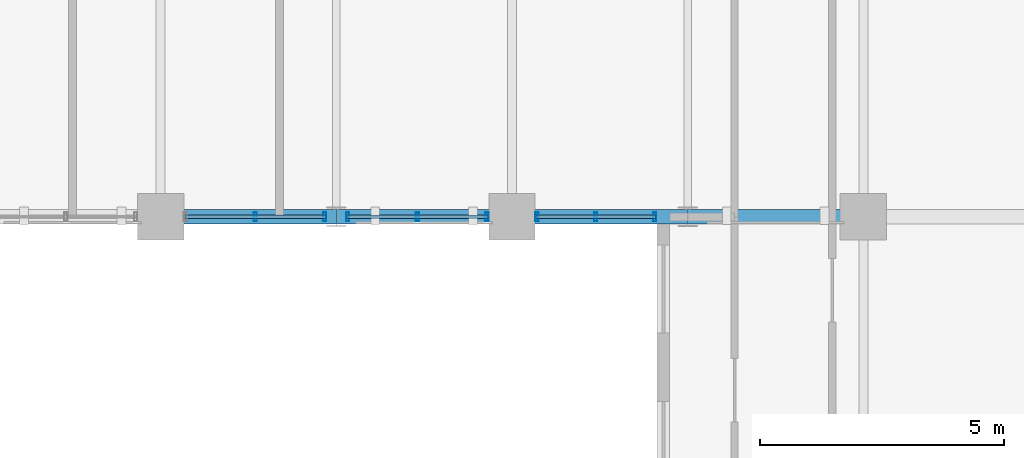
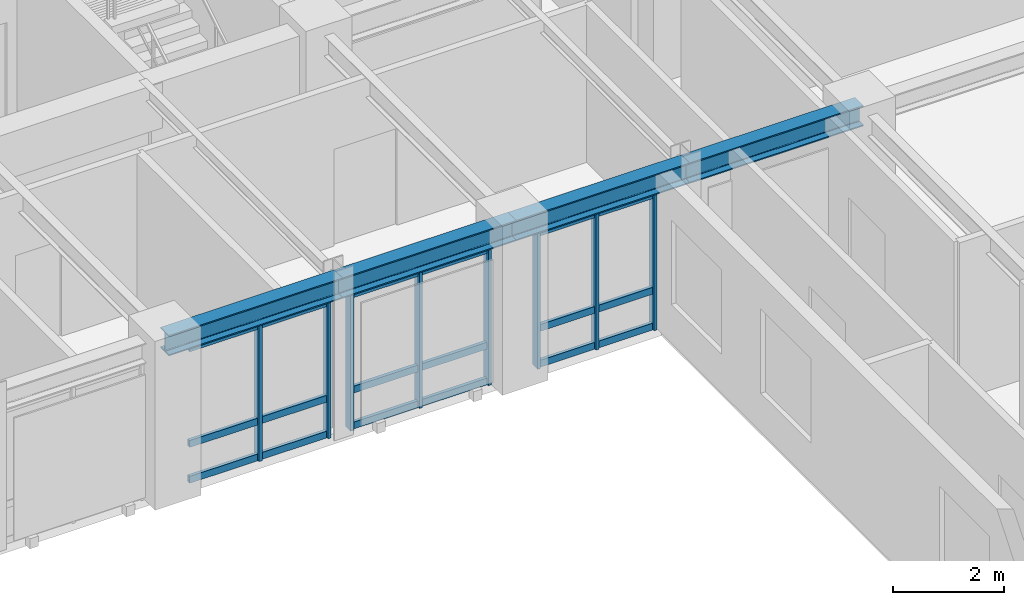
# One storey, part 5 of 16: 17 members, 4 beams, 3 elements without a shape of their own.
"""IFC4 building model written with IfcOpenShell, lengths in metres."""

from ifc_helpers import new_model, si_unit, direction, frame, origin, origin_2d, place, context, subcontext, project, spatial, hollow_rectangle, i_section, extrude, source, transform, mapped, material, layer, layer_set, material_profile, profile_set, type_object, element, aggregate, save


model = new_model("IFC4")

# Units and contexts
model_context = context("Model", 3, precision=1e-05, world=origin(), true_north=direction((0.0, 1.0)))
body_context = subcontext(model_context, "Body", "Model", "MODEL_VIEW")
ifc_project = project(units=[si_unit("LENGTHUNIT", "METRE"), si_unit("AREAUNIT", "SQUARE_METRE"), si_unit("VOLUMEUNIT", "CUBIC_METRE"), si_unit("PLANEANGLEUNIT", "RADIAN"), si_unit("MASSUNIT", "GRAM", prefix="KILO")], contexts=[model_context])

# Site, building, storey
site_placement = place(None, origin())
site = spatial("IfcSite", under=ifc_project, at=site_placement, CompositionType="ELEMENT")
building_placement = place(site_placement, origin())
building = spatial("IfcBuilding", under=site, at=building_placement, Name="Kaliganga Portal Commons", CompositionType="ELEMENT")
storey_placement = place(building_placement, frame((0.0, 0.0, 205.5)))
storey = spatial("IfcBuildingStorey", under=building, at=storey_placement, Name="L52", CompositionType="ELEMENT", Elevation=205.5)

# Beams
ifc_material_1 = material(Name="Structural steel S355J2", Category="steel")
ifc_material_profile_1 = material_profile(ifc_material_1, i_section(OverallWidth=0.300048828125, OverallDepth=0.449951171875, WebThickness=0.013916015625, FlangeThickness=0.02587890625, FilletRadius=0.027099609375, at=origin_2d()), Name="HE 450 B")
ifc_profile_set_1 = profile_set([ifc_material_profile_1], Name="Structural steel S355J2 wide-flange")
beam_type = type_object("IfcBeamType", Name="BM-SPAND-450", PredefinedType="SPANDREL", material=ifc_profile_set_1)
shared_shape_1 = source(origin(), body_context, "Body", "SweptSolid", [
    extrude(i_section(OverallWidth=0.300048828125, OverallDepth=0.449951171875, WebThickness=0.013916015625, FlangeThickness=0.02587890625, FilletRadius=0.027099609375, at=origin_2d()), origin(), (0.0, 0.0, 1.0), 3.60009765625),
])
for number, where, z_axis, x_axis, name in (
    (1, (25.199951171875, 21.60009765625, 3.2451171875), (1.0, 0.0, 0.0), (0.0, 1.0, 0.0), "BM SP L52 AS 4"),
    (2, (32.39990234375, 21.60009765625, 3.2451171875), (1.0, 0.0, 0.0), (0.0, 1.0, 0.0), "BM SP L52 AS 6"),
):
    element("IfcBeam", number, at=place(storey_placement, frame(where, z_axis=z_axis, x_axis=x_axis)), inside=storey, type_object=beam_type, Name=name, PredefinedType="SPANDREL", context=body_context, shape_type="MappedRepresentation", body=[
        mapped(shared_shape_1, transform((0.0, 0.0, 0.0), x_axis=(1.0, 0.0, 0.0), y_axis=(0.0, 1.0, 0.0), z_axis=(0.0, 0.0, 1.0), scale=1.0)),
    ])
shared_shape_2 = source(origin(), body_context, "Body", "SweptSolid", [
    extrude(i_section(OverallWidth=0.300048828125, OverallDepth=0.449951171875, WebThickness=0.013916015625, FlangeThickness=0.02587890625, FilletRadius=0.027099609375, at=origin_2d()), origin(), (0.0, 0.0, 1.0), 3.599853515625),
])
for number, where, z_axis, x_axis, name in (
    (3, (21.60009765625, 21.60009765625, 3.2451171875), (1.0, 0.0, 0.0), (0.0, 1.0, 0.0), "BM SP L52 AS 3"),
    (4, (28.800048828125, 21.60009765625, 3.2451171875), (1.0, 0.0, 0.0), (0.0, 1.0, 0.0), "BM SP L52 AS 5"),
):
    element("IfcBeam", number, at=place(storey_placement, frame(where, z_axis=z_axis, x_axis=x_axis)), inside=storey, type_object=beam_type, Name=name, PredefinedType="SPANDREL", context=body_context, shape_type="MappedRepresentation", body=[
        mapped(shared_shape_2, transform((0.0, 0.0, 0.0), x_axis=(1.0, 0.0, 0.0), y_axis=(0.0, 1.0, 0.0), z_axis=(0.0, 0.0, 1.0), scale=1.0)),
    ])

# Curtain wall, members
ifc_material_2 = material(Name="Anodized Aluminium and Laminated Low-E Glass", Category="aluminium")
ifc_layer = layer(ifc_material_2, 0.2099609375)
ifc_layer_set = layer_set([ifc_layer], Name="Anodized Aluminium and Laminated Low-E Glass")
curtain_wall_type = type_object("IfcCurtainWallType", Name="CW-SYS-03", PredefinedType="NOTDEFINED", material=ifc_layer_set)
curtain_wall_1_placement = place(storey_placement, origin())
curtain_wall_1 = element("IfcCurtainWall", 5, at=curtain_wall_1_placement, inside=storey, type_object=curtain_wall_type, Name="CW 03 L52 P1E04S4", PredefinedType="NOTDEFINED")
ifc_material_3 = material(Name="Dark Bronze Anodized Aluminium", Category="aluminium")
ifc_material_profile_2 = material_profile(ifc_material_3, hollow_rectangle(XDim=0.06494140625, YDim=0.179931640625, WallThickness=0.00390625, at=origin_2d()), Name="ALU MULL 65x180x4")
ifc_profile_set_2 = profile_set([ifc_material_profile_2], Name="Dark Bronze Anodized Aluminium")
member_type_1 = type_object("IfcMemberType", Name="CW-MUL-180", PredefinedType="MULLION", material=ifc_profile_set_2)
shared_shape_3 = source(origin(), body_context, "Body", "SweptSolid", [
    extrude(hollow_rectangle(XDim=0.06494140625, YDim=0.179931640625, WallThickness=0.00390625, at=origin_2d()), origin(), (0.0, 0.0, 1.0), 3.02001953125),
])
member_1_placement = place(storey_placement, frame((23.537841796875, 21.60009765625, 0.0), z_axis=(0.0, 0.0, 1.0), x_axis=(1.0, 0.0, 0.0)))
member_1 = element("IfcMember", 6, at=member_1_placement, type_object=member_type_1, Name="CW:03:L52:P1E04S4 Mullion 01", PredefinedType="MULLION", context=body_context, shape_type="MappedRepresentation", body=[
    mapped(shared_shape_3, transform((0.0, 0.0, 0.0), x_axis=(1.0, 0.0, 0.0), y_axis=(0.0, 1.0, 0.0), z_axis=(0.0, 0.0, 1.0), scale=1.0)),
])
member_2_placement = place(storey_placement, frame((24.964599609375, 21.60009765625, 0.0), z_axis=(0.0, 0.0, 1.0), x_axis=(1.0, 0.0, 0.0)))
member_2 = element("IfcMember", 7, at=member_2_placement, type_object=member_type_1, Name="CW:03:L52:P1E04S4 Mullion 02", PredefinedType="MULLION", context=body_context, shape_type="MappedRepresentation", body=[
    mapped(shared_shape_3, transform((0.0, 0.0, 0.0), x_axis=(1.0, 0.0, 0.0), y_axis=(0.0, 1.0, 0.0), z_axis=(0.0, 0.0, 1.0), scale=1.0)),
])

curtain_wall_2_placement = place(storey_placement, origin())
curtain_wall_2 = element("IfcCurtainWall", 8, at=curtain_wall_2_placement, inside=storey, type_object=curtain_wall_type, Name="CW 03 L52 P1E04S5", PredefinedType="NOTDEFINED")
member_3_placement = place(storey_placement, frame((25.435546875, 21.60009765625, 0.0), z_axis=(0.0, 0.0, 1.0), x_axis=(1.0, 0.0, 0.0)))
member_3 = element("IfcMember", 9, at=member_3_placement, type_object=member_type_1, Name="CW:03:L52:P1E04S5 Mullion 00", PredefinedType="MULLION", context=body_context, shape_type="MappedRepresentation", body=[
    mapped(shared_shape_3, transform((0.0, 0.0, 0.0), x_axis=(1.0, 0.0, 0.0), y_axis=(0.0, 1.0, 0.0), z_axis=(0.0, 0.0, 1.0), scale=1.0)),
])
member_4_placement = place(storey_placement, frame((26.8623046875, 21.60009765625, 0.0), z_axis=(0.0, 0.0, 1.0), x_axis=(1.0, 0.0, 0.0)))
member_4 = element("IfcMember", 10, at=member_4_placement, type_object=member_type_1, Name="CW:03:L52:P1E04S5 Mullion 01", PredefinedType="MULLION", context=body_context, shape_type="MappedRepresentation", body=[
    mapped(shared_shape_3, transform((0.0, 0.0, 0.0), x_axis=(1.0, 0.0, 0.0), y_axis=(0.0, 1.0, 0.0), z_axis=(0.0, 0.0, 1.0), scale=1.0)),
])
member_5_placement = place(storey_placement, frame((28.2890625, 21.60009765625, 0.0), z_axis=(0.0, 0.0, 1.0), x_axis=(1.0, 0.0, 0.0)))
member_5 = element("IfcMember", 11, at=member_5_placement, type_object=member_type_1, Name="CW:03:L52:P1E04S5 Mullion 02", PredefinedType="MULLION", context=body_context, shape_type="MappedRepresentation", body=[
    mapped(shared_shape_3, transform((0.0, 0.0, 0.0), x_axis=(1.0, 0.0, 0.0), y_axis=(0.0, 1.0, 0.0), z_axis=(0.0, 0.0, 1.0), scale=1.0)),
])

curtain_wall_3_placement = place(storey_placement, origin())
curtain_wall_3 = element("IfcCurtainWall", 12, at=curtain_wall_3_placement, inside=storey, type_object=curtain_wall_type, Name="CW 03 L52 P1E04S6", PredefinedType="NOTDEFINED")
member_6_placement = place(storey_placement, frame((29.31103515625, 21.60009765625, 0.0), z_axis=(0.0, 0.0, 1.0), x_axis=(1.0, 0.0, 0.0)))
member_6 = element("IfcMember", 13, at=member_6_placement, type_object=member_type_1, Name="CW:03:L52:P1E04S6 Mullion 00", PredefinedType="MULLION", context=body_context, shape_type="MappedRepresentation", body=[
    mapped(shared_shape_3, transform((0.0, 0.0, 0.0), x_axis=(1.0, 0.0, 0.0), y_axis=(0.0, 1.0, 0.0), z_axis=(0.0, 0.0, 1.0), scale=1.0)),
])
member_7_placement = place(storey_placement, frame((30.51806640625, 21.60009765625, 0.0), z_axis=(0.0, 0.0, 1.0), x_axis=(1.0, 0.0, 0.0)))
member_7 = element("IfcMember", 14, at=member_7_placement, type_object=member_type_1, Name="CW:03:L52:P1E04S6 Mullion 01", PredefinedType="MULLION", context=body_context, shape_type="MappedRepresentation", body=[
    mapped(shared_shape_3, transform((0.0, 0.0, 0.0), x_axis=(1.0, 0.0, 0.0), y_axis=(0.0, 1.0, 0.0), z_axis=(0.0, 0.0, 1.0), scale=1.0)),
])
member_8_placement = place(storey_placement, frame((31.72509765625, 21.60009765625, 0.0), z_axis=(0.0, 0.0, 1.0), x_axis=(1.0, 0.0, 0.0)))
member_8 = element("IfcMember", 15, at=member_8_placement, type_object=member_type_1, Name="CW:03:L52:P1E04S6 Mullion 02", PredefinedType="MULLION", context=body_context, shape_type="MappedRepresentation", body=[
    mapped(shared_shape_3, transform((0.0, 0.0, 0.0), x_axis=(1.0, 0.0, 0.0), y_axis=(0.0, 1.0, 0.0), z_axis=(0.0, 0.0, 1.0), scale=1.0)),
])

# Member
ifc_material_profile_3 = material_profile(ifc_material_3, hollow_rectangle(XDim=0.070068359375, YDim=0.14990234375, WallThickness=0.00341796875, at=origin_2d()), Name="ALU TRAN 70x150x3.5")
ifc_profile_set_3 = profile_set([ifc_material_profile_3], Name="Dark Bronze Anodized Aluminium")
member_type_2 = type_object("IfcMemberType", Name="CW-TRN-150", PredefinedType="USERDEFINED", material=ifc_profile_set_3)
shared_shape_4 = source(origin(), body_context, "Body", "SweptSolid", [
    extrude(hollow_rectangle(XDim=0.070068359375, YDim=0.14990234375, WallThickness=0.00341796875, at=origin_2d()), origin(), (0.0, 0.0, 1.0), 2.883544921875),
])
member_9_placement = place(storey_placement, frame((22.095947265625, 21.60009765625, 0.06005859375), z_axis=(1.0, 0.0, 0.0), x_axis=(0.0, 1.0, 0.0)))
member_9 = element("IfcMember", 16, at=member_9_placement, type_object=member_type_2, Name="CW:03:L52:P1E04S4 Transom 1", ObjectType="TRANSOM", PredefinedType="USERDEFINED", context=body_context, shape_type="MappedRepresentation", body=[
    mapped(shared_shape_4, transform((0.0, 0.0, 0.0), x_axis=(1.0, 0.0, 0.0), y_axis=(0.0, 1.0, 0.0), z_axis=(0.0, 0.0, 1.0), scale=1.0)),
])

member_10_placement = place(storey_placement, frame((22.095947265625, 21.60009765625, 0.845703125), z_axis=(1.0, 0.0, 0.0), x_axis=(0.0, 1.0, 0.0)))
member_10 = element("IfcMember", 17, at=member_10_placement, type_object=member_type_2, Name="CW:03:L52:P1E04S4 Transom 2", ObjectType="TRANSOM", PredefinedType="USERDEFINED", context=body_context, shape_type="MappedRepresentation", body=[
    mapped(shared_shape_4, transform((0.0, 0.0, 0.0), x_axis=(1.0, 0.0, 0.0), y_axis=(0.0, 1.0, 0.0), z_axis=(0.0, 0.0, 1.0), scale=1.0)),
])

member_11_placement = place(storey_placement, frame((22.095947265625, 21.60009765625, 2.93994140625), z_axis=(1.0, 0.0, 0.0), x_axis=(0.0, 1.0, 0.0)))
member_11 = element("IfcMember", 18, at=member_11_placement, type_object=member_type_2, Name="CW:03:L52:P1E04S4 Transom 3", ObjectType="TRANSOM", PredefinedType="USERDEFINED", context=body_context, shape_type="MappedRepresentation", body=[
    mapped(shared_shape_4, transform((0.0, 0.0, 0.0), x_axis=(1.0, 0.0, 0.0), y_axis=(0.0, 1.0, 0.0), z_axis=(0.0, 0.0, 1.0), scale=1.0)),
])

aggregate(curtain_wall_1, [member_1, member_2, member_9, member_10, member_11])

member_12_placement = place(storey_placement, frame((25.42041015625, 21.60009765625, 0.06005859375), z_axis=(1.0, 0.0, 0.0), x_axis=(0.0, 1.0, 0.0)))
member_12 = element("IfcMember", 19, at=member_12_placement, type_object=member_type_2, Name="CW:03:L52:P1E04S5 Transom 1", ObjectType="TRANSOM", PredefinedType="USERDEFINED", context=body_context, shape_type="MappedRepresentation", body=[
    mapped(shared_shape_4, transform((0.0, 0.0, 0.0), x_axis=(1.0, 0.0, 0.0), y_axis=(0.0, 1.0, 0.0), z_axis=(0.0, 0.0, 1.0), scale=1.0)),
])

member_13_placement = place(storey_placement, frame((25.42041015625, 21.60009765625, 0.845703125), z_axis=(1.0, 0.0, 0.0), x_axis=(0.0, 1.0, 0.0)))
member_13 = element("IfcMember", 20, at=member_13_placement, type_object=member_type_2, Name="CW:03:L52:P1E04S5 Transom 2", ObjectType="TRANSOM", PredefinedType="USERDEFINED", context=body_context, shape_type="MappedRepresentation", body=[
    mapped(shared_shape_4, transform((0.0, 0.0, 0.0), x_axis=(1.0, 0.0, 0.0), y_axis=(0.0, 1.0, 0.0), z_axis=(0.0, 0.0, 1.0), scale=1.0)),
])

member_14_placement = place(storey_placement, frame((25.42041015625, 21.60009765625, 2.93994140625), z_axis=(1.0, 0.0, 0.0), x_axis=(0.0, 1.0, 0.0)))
member_14 = element("IfcMember", 21, at=member_14_placement, type_object=member_type_2, Name="CW:03:L52:P1E04S5 Transom 3", ObjectType="TRANSOM", PredefinedType="USERDEFINED", context=body_context, shape_type="MappedRepresentation", body=[
    mapped(shared_shape_4, transform((0.0, 0.0, 0.0), x_axis=(1.0, 0.0, 0.0), y_axis=(0.0, 1.0, 0.0), z_axis=(0.0, 0.0, 1.0), scale=1.0)),
])

aggregate(curtain_wall_2, [member_3, member_4, member_5, member_12, member_13, member_14])

shared_shape_5 = source(origin(), body_context, "Body", "SweptSolid", [
    extrude(hollow_rectangle(XDim=0.070068359375, YDim=0.14990234375, WallThickness=0.00341796875, at=origin_2d()), origin(), (0.0, 0.0, 1.0), 2.444091796875),
])
member_15_placement = place(storey_placement, frame((29.2958984375, 21.60009765625, 0.06005859375), z_axis=(1.0, 0.0, 0.0), x_axis=(0.0, 1.0, 0.0)))
member_15 = element("IfcMember", 22, at=member_15_placement, type_object=member_type_2, Name="CW:03:L52:P1E04S6 Transom 1", ObjectType="TRANSOM", PredefinedType="USERDEFINED", context=body_context, shape_type="MappedRepresentation", body=[
    mapped(shared_shape_5, transform((0.0, 0.0, 0.0), x_axis=(1.0, 0.0, 0.0), y_axis=(0.0, 1.0, 0.0), z_axis=(0.0, 0.0, 1.0), scale=1.0)),
])

member_16_placement = place(storey_placement, frame((29.2958984375, 21.60009765625, 0.845703125), z_axis=(1.0, 0.0, 0.0), x_axis=(0.0, 1.0, 0.0)))
member_16 = element("IfcMember", 23, at=member_16_placement, type_object=member_type_2, Name="CW:03:L52:P1E04S6 Transom 2", ObjectType="TRANSOM", PredefinedType="USERDEFINED", context=body_context, shape_type="MappedRepresentation", body=[
    mapped(shared_shape_5, transform((0.0, 0.0, 0.0), x_axis=(1.0, 0.0, 0.0), y_axis=(0.0, 1.0, 0.0), z_axis=(0.0, 0.0, 1.0), scale=1.0)),
])

member_17_placement = place(storey_placement, frame((29.2958984375, 21.60009765625, 2.93994140625), z_axis=(1.0, 0.0, 0.0), x_axis=(0.0, 1.0, 0.0)))
member_17 = element("IfcMember", 24, at=member_17_placement, type_object=member_type_2, Name="CW:03:L52:P1E04S6 Transom 3", ObjectType="TRANSOM", PredefinedType="USERDEFINED", context=body_context, shape_type="MappedRepresentation", body=[
    mapped(shared_shape_5, transform((0.0, 0.0, 0.0), x_axis=(1.0, 0.0, 0.0), y_axis=(0.0, 1.0, 0.0), z_axis=(0.0, 0.0, 1.0), scale=1.0)),
])

aggregate(curtain_wall_3, [member_6, member_7, member_8, member_15, member_16, member_17])

save(model, "model.ifc")
